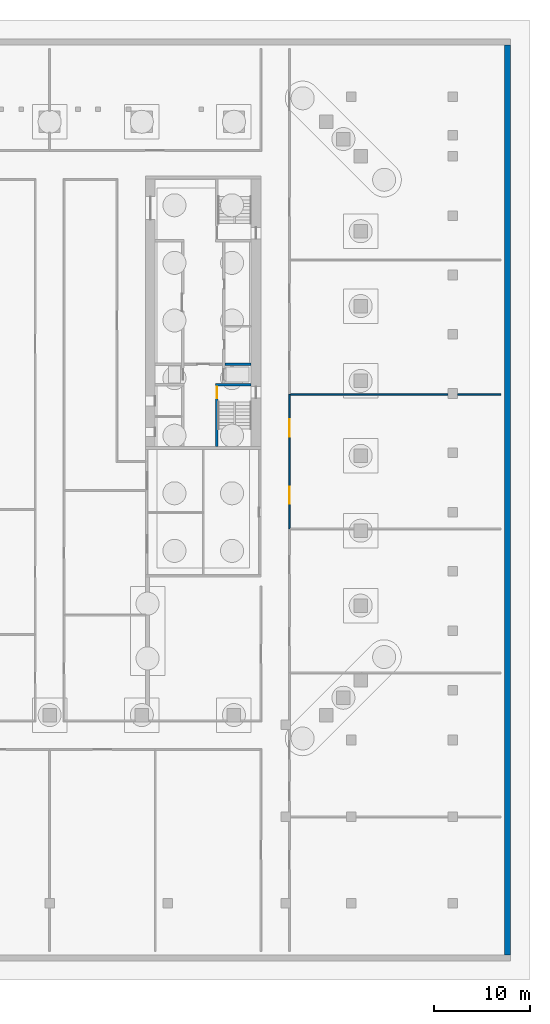
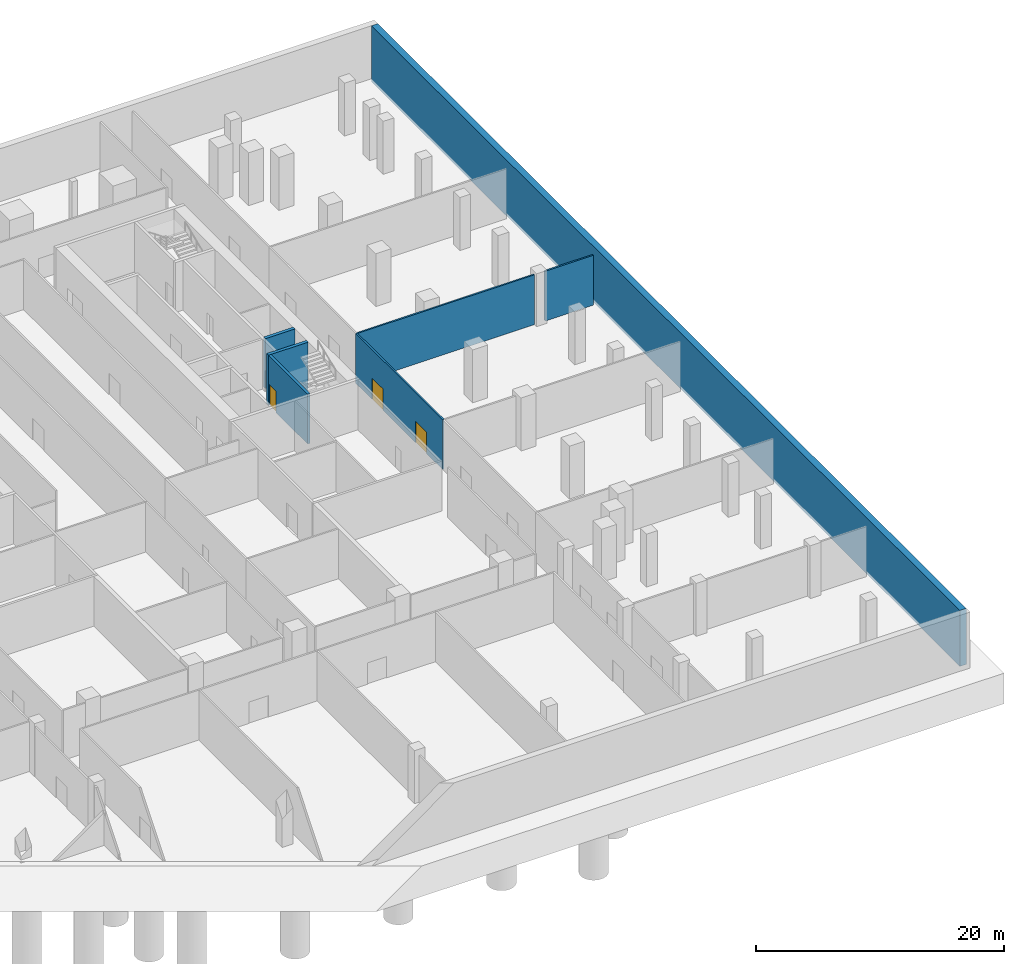
# One storey, part 8 of 14: 7 walls, 3 doors, 3 openings.
"""IFC4 building model written with IfcOpenShell, lengths in metres."""

from ifc_helpers import new_model, si_unit, direction, frame, frame_2d, origin, place, context, subcontext, project, spatial, rectangle, extrude, material, layer, layer_set, type_object, element, fill, save


model = new_model("IFC4")

# Units and contexts
model_context = context("Model", 3, precision=1e-05, world=origin(), true_north=direction((0.0, 1.0)))
body_context = subcontext(model_context, "Body", "Model", "MODEL_VIEW")
ifc_project = project(units=[si_unit("LENGTHUNIT", "METRE"), si_unit("AREAUNIT", "SQUARE_METRE"), si_unit("VOLUMEUNIT", "CUBIC_METRE"), si_unit("PLANEANGLEUNIT", "RADIAN"), si_unit("MASSUNIT", "GRAM", prefix="KILO")], contexts=[model_context])

# Site, building, storey
site_placement = place(None, origin())
site = spatial("IfcSite", under=ifc_project, at=site_placement, CompositionType="ELEMENT")
building_placement = place(site_placement, origin())
building = spatial("IfcBuilding", under=site, at=building_placement, Name="Ogive Exchange Tower", CompositionType="ELEMENT")
storey_placement = place(building_placement, frame((0.0, 0.0, -10.39990234375)))
storey = spatial("IfcBuildingStorey", under=building, at=storey_placement, Name="B2", CompositionType="ELEMENT", Elevation=-10.39990234375)

# Walls
ifc_material_1 = material(Name="Concrete C50/60", Category="concrete")
ifc_layer_1 = layer(ifc_material_1, 0.60009765625)
ifc_layer_set_1 = layer_set([ifc_layer_1], Name="Concrete C50/60 retaining wall 600")
wall_type_1 = type_object("IfcWallType", Name="Concrete C50/60 retaining wall 600", PredefinedType="SOLIDWALL", material=ifc_layer_set_1)
wall_1_placement = place(storey_placement, frame((47.699951171875, -55.39990234375, -0.300048828125), z_axis=(0.0, 0.0, 1.0), x_axis=(0.0, 1.0, 0.0)))
element("IfcWall", 1, at=wall_1_placement, inside=storey, type_object=wall_type_1, Name="Retaining wall E", PredefinedType="SOLIDWALL", context=body_context, shape_type="SweptSolid", body=[
    extrude(rectangle(XDim=94.7998046875, YDim=0.60009765625, at=frame_2d((47.39990234375, 0.0))), origin(), (0.0, 0.0, 1.0), 5.5),
])
ifc_material_2 = material(Name="Fire partition EI 60 150")
ifc_layer_2 = layer(ifc_material_2, 0.14990234375)
ifc_layer_set_2 = layer_set([ifc_layer_2], Name="Fire partition EI 60 150")
wall_type_2 = type_object("IfcWallType", Name="Fire partition EI 60 150", PredefinedType="PARTITIONING", material=ifc_layer_set_2)
wall_2_placement = place(storey_placement, frame((25.074951171875, 3.0, 0.0), z_axis=(0.0, 0.0, 1.0), x_axis=(1.0, 0.0, 0.0)))
element("IfcWall", 2, at=wall_2_placement, inside=storey, type_object=wall_type_2, Name="B2-PWL-029", PredefinedType="PARTITIONING", context=body_context, shape_type="SweptSolid", body=[
    extrude(rectangle(XDim=16.425048828125, YDim=0.14990234375, at=frame_2d((8.21240234375, 0.0))), origin(), (0.0, 0.0, 1.0), 4.89990234375),
])
wall_3_placement = place(storey_placement, frame((42.5, 3.0, 0.0), z_axis=(0.0, 0.0, 1.0), x_axis=(1.0, 0.0, 0.0)))
element("IfcWall", 3, at=wall_3_placement, inside=storey, type_object=wall_type_2, Name="B2-PWL-030", PredefinedType="PARTITIONING", context=body_context, shape_type="SweptSolid", body=[
    extrude(rectangle(XDim=4.5, YDim=0.14990234375, at=frame_2d((2.25, 0.0))), origin(), (0.0, 0.0, 1.0), 4.89990234375),
])

# Wall, openings, doors
wall_4_placement = place(storey_placement, frame((25.0, -11.0, 0.0), z_axis=(0.0, 0.0, 1.0), x_axis=(0.0, 1.0, 0.0)))
wall_4 = element("IfcWall", 4, at=wall_4_placement, inside=storey, type_object=wall_type_2, Name="B2-PWL-072", PredefinedType="PARTITIONING", context=body_context, shape_type="SweptSolid", body=[
    extrude(rectangle(XDim=14.0, YDim=0.14990234375, at=frame_2d((7.0, 0.0))), origin(), (0.0, 0.0, 1.0), 4.89990234375),
])
opening_1_placement = place(wall_4_placement, frame((2.60009765625, 0.0, 0.0)))
opening_1 = element("IfcOpeningElement", 5, at=opening_1_placement, cuts=wall_4, Name="Opening B2-I14", PredefinedType="OPENING", context=body_context, shape_type="SweptSolid", body=[
    extrude(rectangle(XDim=1.800048828125, YDim=2.10009765625, at=frame_2d((0.89990234375, 1.050048828125))), frame((0.0, 0.0849609375, 0.0), z_axis=(0.0, -1.0, 0.0), x_axis=(1.0, 0.0, 0.0)), (0.0, 0.0, 1.0), 0.169921875),
])
opening_2_placement = place(wall_4_placement, frame((9.60009765625, 0.0, 0.0)))
opening_2 = element("IfcOpeningElement", 6, at=opening_2_placement, cuts=wall_4, Name="Opening B2-I15", PredefinedType="OPENING", context=body_context, shape_type="SweptSolid", body=[
    extrude(rectangle(XDim=1.800048828125, YDim=2.10009765625, at=frame_2d((0.89990234375, 1.050048828125))), frame((0.0, 0.0849609375, 0.0), z_axis=(0.0, -1.0, 0.0), x_axis=(1.0, 0.0, 0.0)), (0.0, 0.0, 1.0), 0.169921875),
])
ifc_material_3 = material(Name="Fire door FD 30S 1800 x 2100")
door_type_1 = type_object("IfcDoorType", Name="Fire door FD 30S 1800 x 2100", OperationType="DOUBLE_DOOR_SINGLE_SWING", PredefinedType="DOOR", material=ifc_material_3)
door_1_placement = place(opening_1_placement, origin())
door_1 = element("IfcDoor", 7, at=door_1_placement, inside=storey, type_object=door_type_1, Name="B2-IDR-014", ObjectType="DT4", OperationType="SINGLE_SWING_LEFT", OverallHeight=2.10009765625, OverallWidth=1.800048828125, PredefinedType="DOOR", context=body_context, shape_type="SweptSolid", body=[
    extrude(rectangle(XDim=1.800048828125, YDim=2.10009765625, at=frame_2d((0.89990234375, 1.050048828125))), frame((0.0, 0.02490234375, 0.0), z_axis=(0.0, -1.0, 0.0), x_axis=(1.0, 0.0, 0.0)), (0.0, 0.0, 1.0), 0.050048828125),
])
fill(opening_1, door_1)
door_2_placement = place(opening_2_placement, origin())
door_2 = element("IfcDoor", 8, at=door_2_placement, inside=storey, type_object=door_type_1, Name="B2-IDR-015", ObjectType="DT4", OperationType="SINGLE_SWING_LEFT", OverallHeight=2.10009765625, OverallWidth=1.800048828125, PredefinedType="DOOR", context=body_context, shape_type="SweptSolid", body=[
    extrude(rectangle(XDim=1.800048828125, YDim=2.10009765625, at=frame_2d((0.89990234375, 1.050048828125))), frame((0.0, 0.02490234375, 0.0), z_axis=(0.0, -1.0, 0.0), x_axis=(1.0, 0.0, 0.0)), (0.0, 0.0, 1.0), 0.050048828125),
])
fill(opening_2, door_2)

# Wall, opening, door
ifc_material_4 = material(Name="Concrete C70/85", Category="concrete")
ifc_layer_3 = layer(ifc_material_4, 0.25)
ifc_layer_set_3 = layer_set([ifc_layer_3], Name="RC core wall 250 C70/85")
wall_type_3 = type_object("IfcWallType", Name="RC core wall 250 C70/85", PredefinedType="SHEAR", material=ifc_layer_set_3)
wall_5_placement = place(storey_placement, frame((17.425048828125, -2.449951171875, 0.0), z_axis=(0.0, 0.0, 1.0), x_axis=(0.0, 1.0, 0.0)))
wall_5 = element("IfcWall", 9, at=wall_5_placement, inside=storey, type_object=wall_type_3, Name="E stair S front wall", PredefinedType="SHEAR", context=body_context, shape_type="SweptSolid", body=[
    extrude(rectangle(XDim=6.300048828125, YDim=0.25, at=frame_2d((3.14990234375, 0.0))), origin(), (0.0, 0.0, 1.0), 4.89990234375),
])
opening_3_placement = place(wall_5_placement, frame((5.050048828125, 0.0, 0.0)))
opening_3 = element("IfcOpeningElement", 10, at=opening_3_placement, cuts=wall_5, Name="Opening B2-C23", PredefinedType="OPENING", context=body_context, shape_type="SweptSolid", body=[
    extrude(rectangle(XDim=1.199951171875, YDim=2.10009765625, at=frame_2d((0.60009765625, 1.050048828125))), frame((0.0, 0.135009765625, 0.0), z_axis=(0.0, -1.0, 0.0), x_axis=(1.0, 0.0, 0.0)), (0.0, 0.0, 1.0), 0.27001953125),
])
ifc_material_5 = material(Name="Steel fire door", Category="steel")
door_type_2 = type_object("IfcDoorType", Name="Stair door FD90 1200 x 2100", OperationType="NOTDEFINED", PredefinedType="DOOR", material=ifc_material_5)
door_3_placement = place(opening_3_placement, frame((1.199951171875, 0.0, 0.0), z_axis=(0.0, 0.0, 1.0), x_axis=(-1.0, 0.0, 0.0)))
door_3 = element("IfcDoor", 11, at=door_3_placement, inside=storey, type_object=door_type_2, Name="Stair door", ObjectType="CD5", OperationType="SINGLE_SWING_RIGHT", OverallHeight=2.10009765625, OverallWidth=1.199951171875, PredefinedType="DOOR", context=body_context, shape_type="SweptSolid", body=[
    extrude(rectangle(XDim=1.199951171875, YDim=2.10009765625, at=frame_2d((0.60009765625, 1.050048828125))), frame((0.0, 0.02490234375, 0.0), z_axis=(0.0, -1.0, 0.0), x_axis=(1.0, 0.0, 0.0)), (0.0, 0.0, 1.0), 0.050048828125),
])
fill(opening_3, door_3)

# Walls
ifc_layer_4 = layer(ifc_material_4, 0.300048828125)
ifc_layer_set_4 = layer_set([ifc_layer_4], Name="RC core wall 300 C70/85")
wall_type_4 = type_object("IfcWallType", Name="RC core wall 300 C70/85", PredefinedType="SHEAR", material=ifc_layer_set_4)
wall_6_placement = place(storey_placement, frame((17.300048828125, 4.0, 0.0), z_axis=(0.0, 0.0, 1.0), x_axis=(1.0, 0.0, 0.0)))
element("IfcWall", 12, at=wall_6_placement, inside=storey, type_object=wall_type_4, Name="E stair S north wall", PredefinedType="SHEAR", context=body_context, shape_type="SweptSolid", body=[
    extrude(rectangle(XDim=3.699951171875, YDim=0.300048828125, at=frame_2d((1.85009765625, 0.0))), origin(), (0.0, 0.0, 1.0), 4.89990234375),
])
wall_7_placement = place(storey_placement, frame((18.25, 6.142822265625, 0.0), z_axis=(0.0, 0.0, 1.0), x_axis=(1.0, 0.0, 0.0)))
element("IfcWall", 13, at=wall_7_placement, inside=storey, type_object=wall_type_4, Name="E row A divider 1", PredefinedType="SHEAR", context=body_context, shape_type="SweptSolid", body=[
    extrude(rectangle(XDim=2.75, YDim=0.300048828125, at=frame_2d((1.375, 0.0))), origin(), (0.0, 0.0, 1.0), 4.89990234375),
])

save(model, "model.ifc")
